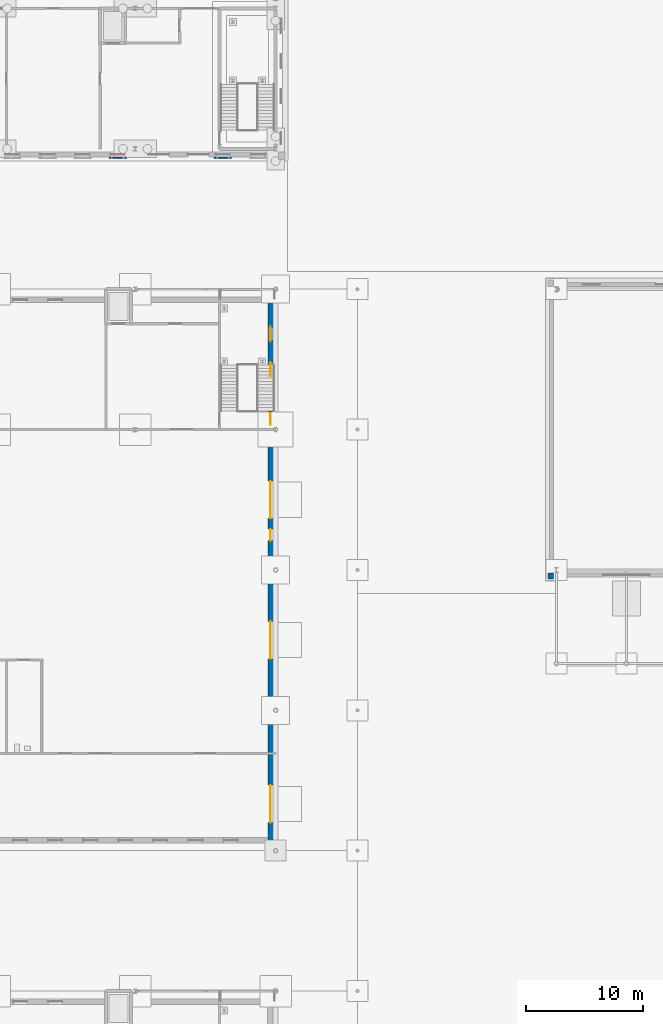
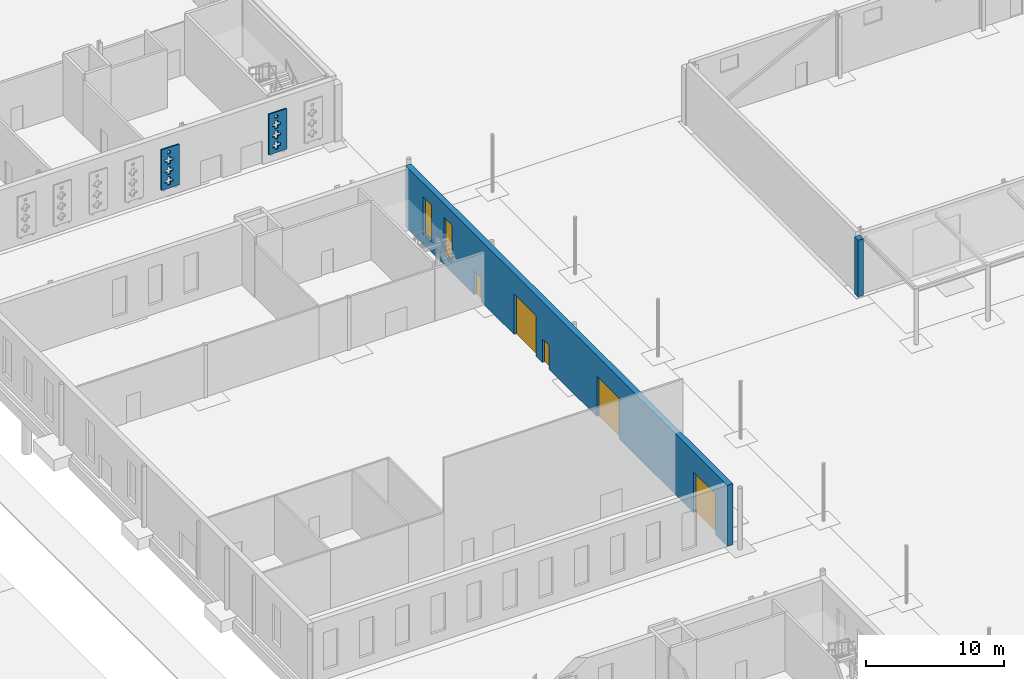
# One storey, part 81 of 132: 5 doors, 4 walls, 2 windows, 39 openings.
"""IFC4 building model written with IfcOpenShell, lengths in metres."""

from ifc_helpers import new_model, si_unit, direction, frame, frame_2d, origin, place, context, subcontext, project, spatial, rectangle, extrude, material, layer, layer_set, type_object, element, fill, save


model = new_model("IFC4")

# Units and contexts
model_context = context("Model", 3, precision=1e-05, world=origin(), true_north=direction((0.0, 1.0)))
body_context = subcontext(model_context, "Body", "Model", "MODEL_VIEW")
ifc_project = project(units=[si_unit("LENGTHUNIT", "METRE"), si_unit("AREAUNIT", "SQUARE_METRE"), si_unit("VOLUMEUNIT", "CUBIC_METRE"), si_unit("PLANEANGLEUNIT", "RADIAN"), si_unit("MASSUNIT", "GRAM", prefix="KILO")], contexts=[model_context])

# Site, building, storey
site_placement = place(None, origin())
site = spatial("IfcSite", under=ifc_project, at=site_placement, CompositionType="ELEMENT")
building_placement = place(site_placement, origin())
building = spatial("IfcBuilding", under=site, at=building_placement, Name="Ravi Spectrum Wholesale Market", CompositionType="ELEMENT")
storey_placement = place(building_placement, origin())
storey = spatial("IfcBuildingStorey", under=building, at=storey_placement, Name="L00", CompositionType="ELEMENT", Elevation=0.0)

# Wall, openings, doors, windows
ifc_material_1 = material(Name="Clinker brickwork", Category="masonry")
ifc_layer_1 = layer(ifc_material_1, 0.4599609375)
ifc_layer_set_1 = layer_set([ifc_layer_1], Name="Clinker brickwork")
wall_type_1 = type_object("IfcWallType", Name="Brick 460 pier wall", PredefinedType="SOLIDWALL", material=ifc_layer_set_1)
wall_1_placement = place(storey_placement, frame((197.572265625, 138.669921875, 0.0), z_axis=(0.0, 0.0, 1.0), x_axis=(0.0, 1.0, 0.0)))
wall_1 = element("IfcWall", 1, at=wall_1_placement, inside=storey, type_object=wall_type_1, Name="Flower Hall east wall", PredefinedType="SOLIDWALL", context=body_context, shape_type="SweptSolid", body=[
    extrude(rectangle(XDim=46.66015625, YDim=0.4599609375, at=frame_2d((23.330078125, 0.0))), origin(), (0.0, 0.0, 1.0), 5.39990234375),
])
opening_1_placement = place(wall_1_placement, frame((1.72998046875, 0.0, 0.0)))
opening_1 = element("IfcOpeningElement", 2, at=opening_1_placement, cuts=wall_1, Name="Opening D355", PredefinedType="OPENING", context=body_context, shape_type="SweptSolid", body=[
    extrude(rectangle(XDim=3.199951171875, YDim=3.60009765625, at=frame_2d((1.60009765625, 1.800048828125))), frame((0.0, 0.239990234375, 0.0), z_axis=(0.0, -1.0, 0.0), x_axis=(1.0, 0.0, 0.0)), (0.0, 0.0, 1.0), 0.47998046875),
])
opening_2_placement = place(wall_1_placement, frame((36.72998046875, 0.0, 0.0), z_axis=(0.0, 0.0, 1.0), x_axis=(-1.0, 0.0, 0.0)))
opening_2 = element("IfcOpeningElement", 3, at=opening_2_placement, cuts=wall_1, Name="Opening D361", PredefinedType="OPENING", context=body_context, shape_type="SweptSolid", body=[
    extrude(rectangle(XDim=1.0, YDim=2.10009765625, at=frame_2d((0.5, 1.050048828125))), frame((0.0, 0.239990234375, 0.0), z_axis=(0.0, -1.0, 0.0), x_axis=(1.0, 0.0, 0.0)), (0.0, 0.0, 1.0), 0.47998046875),
])
opening_3_placement = place(wall_1_placement, frame((15.72998046875, 0.0, 0.0)))
opening_3 = element("IfcOpeningElement", 4, at=opening_3_placement, cuts=wall_1, Name="Opening D362", PredefinedType="OPENING", context=body_context, shape_type="SweptSolid", body=[
    extrude(rectangle(XDim=3.199951171875, YDim=3.60009765625, at=frame_2d((1.60009765625, 1.800048828125))), frame((0.0, 0.239990234375, 0.0), z_axis=(0.0, -1.0, 0.0), x_axis=(1.0, 0.0, 0.0)), (0.0, 0.0, 1.0), 0.47998046875),
])
opening_4_placement = place(wall_1_placement, frame((27.72998046875, 0.0, 0.0)))
opening_4 = element("IfcOpeningElement", 5, at=opening_4_placement, cuts=wall_1, Name="Opening D363", PredefinedType="OPENING", context=body_context, shape_type="SweptSolid", body=[
    extrude(rectangle(XDim=3.199951171875, YDim=3.60009765625, at=frame_2d((1.60009765625, 1.800048828125))), frame((0.0, 0.239990234375, 0.0), z_axis=(0.0, -1.0, 0.0), x_axis=(1.0, 0.0, 0.0)), (0.0, 0.0, 1.0), 0.47998046875),
])
opening_5_placement = place(wall_1_placement, frame((26.830078125, 0.0, 0.0), z_axis=(0.0, 0.0, 1.0), x_axis=(-1.0, 0.0, 0.0)))
opening_5 = element("IfcOpeningElement", 6, at=opening_5_placement, cuts=wall_1, Name="Opening D364", PredefinedType="OPENING", context=body_context, shape_type="SweptSolid", body=[
    extrude(rectangle(XDim=1.0, YDim=2.10009765625, at=frame_2d((0.5, 1.050048828125))), frame((0.0, 0.239990234375, 0.0), z_axis=(0.0, -1.0, 0.0), x_axis=(1.0, 0.0, 0.0)), (0.0, 0.0, 1.0), 0.47998046875),
])
opening_6_placement = place(wall_1_placement, frame((39.89990234375, 0.0, 0.89990234375)))
opening_6 = element("IfcOpeningElement", 7, at=opening_6_placement, cuts=wall_1, Name="Opening W2213", PredefinedType="OPENING", context=body_context, shape_type="SweptSolid", body=[
    extrude(rectangle(XDim=1.199951171875, YDim=3.300048828125, at=frame_2d((0.60009765625, 1.64990234375))), frame((0.0, 0.239990234375, 0.0), z_axis=(0.0, -1.0, 0.0), x_axis=(1.0, 0.0, 0.0)), (0.0, 0.0, 1.0), 0.47998046875),
])
opening_7_placement = place(wall_1_placement, frame((42.89990234375, 0.0, 0.89990234375)))
opening_7 = element("IfcOpeningElement", 8, at=opening_7_placement, cuts=wall_1, Name="Opening W2214", PredefinedType="OPENING", context=body_context, shape_type="SweptSolid", body=[
    extrude(rectangle(XDim=1.199951171875, YDim=3.300048828125, at=frame_2d((0.60009765625, 1.64990234375))), frame((0.0, 0.239990234375, 0.0), z_axis=(0.0, -1.0, 0.0), x_axis=(1.0, 0.0, 0.0)), (0.0, 0.0, 1.0), 0.47998046875),
])
ifc_material_2 = material(Name="Steel roller shutter", Category="steel")
door_type_1 = type_object("IfcDoorType", Name="Dock roller shutter 3200 x 3600", OperationType="ROLLINGUP", PredefinedType="DOOR", material=ifc_material_2)
door_1_placement = place(opening_1_placement, origin())
door_1 = element("IfcDoor", 9, at=door_1_placement, inside=storey, type_object=door_type_1, Name="Door D355", OperationType="ROLLINGUP", OverallHeight=3.60009765625, OverallWidth=3.199951171875, PredefinedType="DOOR", context=body_context, shape_type="SweptSolid", body=[
    extrude(rectangle(XDim=3.199951171875, YDim=3.60009765625, at=frame_2d((1.60009765625, 1.800048828125))), frame((0.0, 0.02490234375, 0.0), z_axis=(0.0, -1.0, 0.0), x_axis=(1.0, 0.0, 0.0)), (0.0, 0.0, 1.0), 0.050048828125),
])
fill(opening_1, door_1)
door_2_placement = place(opening_3_placement, origin())
door_2 = element("IfcDoor", 10, at=door_2_placement, inside=storey, type_object=door_type_1, Name="Door D362", OperationType="ROLLINGUP", OverallHeight=3.60009765625, OverallWidth=3.199951171875, PredefinedType="DOOR", context=body_context, shape_type="SweptSolid", body=[
    extrude(rectangle(XDim=3.199951171875, YDim=3.60009765625, at=frame_2d((1.60009765625, 1.800048828125))), frame((0.0, 0.02490234375, 0.0), z_axis=(0.0, -1.0, 0.0), x_axis=(1.0, 0.0, 0.0)), (0.0, 0.0, 1.0), 0.050048828125),
])
fill(opening_3, door_2)
door_3_placement = place(opening_4_placement, origin())
door_3 = element("IfcDoor", 11, at=door_3_placement, inside=storey, type_object=door_type_1, Name="Door D363", OperationType="ROLLINGUP", OverallHeight=3.60009765625, OverallWidth=3.199951171875, PredefinedType="DOOR", context=body_context, shape_type="SweptSolid", body=[
    extrude(rectangle(XDim=3.199951171875, YDim=3.60009765625, at=frame_2d((1.60009765625, 1.800048828125))), frame((0.0, 0.02490234375, 0.0), z_axis=(0.0, -1.0, 0.0), x_axis=(1.0, 0.0, 0.0)), (0.0, 0.0, 1.0), 0.050048828125),
])
fill(opening_4, door_3)
ifc_material_3 = material(Name="Steel door", Category="steel")
door_type_2 = type_object("IfcDoorType", Name="Pedestrian exit door 1000 x 2100", OperationType="SINGLE_SWING_LEFT", PredefinedType="DOOR", material=ifc_material_3)
door_4_placement = place(opening_2_placement, origin())
door_4 = element("IfcDoor", 12, at=door_4_placement, inside=storey, type_object=door_type_2, Name="Door D361", OperationType="SINGLE_SWING_RIGHT", OverallHeight=2.10009765625, OverallWidth=1.0, PredefinedType="DOOR", context=body_context, shape_type="SweptSolid", body=[
    extrude(rectangle(XDim=1.0, YDim=2.10009765625, at=frame_2d((0.5, 1.050048828125))), frame((0.0, 0.02490234375, 0.0), z_axis=(0.0, -1.0, 0.0), x_axis=(1.0, 0.0, 0.0)), (0.0, 0.0, 1.0), 0.050048828125),
])
fill(opening_2, door_4)
door_5_placement = place(opening_5_placement, origin())
door_5 = element("IfcDoor", 13, at=door_5_placement, inside=storey, type_object=door_type_2, Name="Door D364", OperationType="SINGLE_SWING_LEFT", OverallHeight=2.10009765625, OverallWidth=1.0, PredefinedType="DOOR", context=body_context, shape_type="SweptSolid", body=[
    extrude(rectangle(XDim=1.0, YDim=2.10009765625, at=frame_2d((0.5, 1.050048828125))), frame((0.0, 0.02490234375, 0.0), z_axis=(0.0, -1.0, 0.0), x_axis=(1.0, 0.0, 0.0)), (0.0, 0.0, 1.0), 0.050048828125),
])
fill(opening_5, door_5)
ifc_material_4 = material(Name="Steel window frame", Category="steel")
window_type = type_object("IfcWindowType", Name="Tall pier window 1200 x 3300", PartitioningType="SINGLE_PANEL", PredefinedType="WINDOW", material=ifc_material_4)
window_1_placement = place(opening_6_placement, origin())
window_1 = element("IfcWindow", 14, at=window_1_placement, inside=storey, type_object=window_type, Name="Window W2213", OverallHeight=3.300048828125, OverallWidth=1.199951171875, PartitioningType="SINGLE_PANEL", PredefinedType="WINDOW", context=body_context, shape_type="SweptSolid", body=[
    extrude(rectangle(XDim=1.199951171875, YDim=3.300048828125, at=frame_2d((0.60009765625, 1.64990234375))), frame((0.0, 0.030029296875, 0.0), z_axis=(0.0, -1.0, 0.0), x_axis=(1.0, 0.0, 0.0)), (0.0, 0.0, 1.0), 0.06005859375),
])
fill(opening_6, window_1)
window_2_placement = place(opening_7_placement, origin())
window_2 = element("IfcWindow", 15, at=window_2_placement, inside=storey, type_object=window_type, Name="Window W2214", OverallHeight=3.300048828125, OverallWidth=1.199951171875, PartitioningType="SINGLE_PANEL", PredefinedType="WINDOW", context=body_context, shape_type="SweptSolid", body=[
    extrude(rectangle(XDim=1.199951171875, YDim=3.300048828125, at=frame_2d((0.60009765625, 1.64990234375))), frame((0.0, 0.030029296875, 0.0), z_axis=(0.0, -1.0, 0.0), x_axis=(1.0, 0.0, 0.0)), (0.0, 0.0, 1.0), 0.06005859375),
])
fill(opening_7, window_2)

# Wall
ifc_material_5 = material(Name="Clinker brickwork", Category="masonry")
ifc_layer_2 = layer(ifc_material_5, 0.52490234375)
ifc_layer_set_2 = layer_set([ifc_layer_2], Name="Clinker brickwork")
wall_type_2 = type_object("IfcWallType", Name="Brick pier 525", PredefinedType="SOLIDWALL", material=ifc_layer_set_2)
wall_2_placement = place(storey_placement, frame((221.75, 161.487548828125, 0.0), z_axis=(0.0, 0.0, 1.0), x_axis=(-1.0, 0.0, 0.0)))
element("IfcWall", 16, at=wall_2_placement, inside=storey, type_object=wall_type_2, Name="GS-WL-L00-005", PredefinedType="SOLIDWALL", context=body_context, shape_type="SweptSolid", body=[
    extrude(rectangle(XDim=0.455078125, YDim=0.52490234375, at=frame_2d((0.2275390625, 0.0))), origin(), (0.0, 0.0, 1.0), 5.010009765625),
])

# Wall, openings
ifc_material_6 = material(Name="Facing brickwork", Category="masonry")
ifc_layer_3 = layer(ifc_material_6, 0.114990234375)
ifc_layer_set_3 = layer_set([ifc_layer_3], Name="Facing brickwork")
wall_type_3 = type_object("IfcWallType", Name="Perforated brick screen 115", PredefinedType="SOLIDWALL", material=ifc_layer_set_3)
wall_3_placement = place(storey_placement, frame((183.75, 197.232421875, 0.75), z_axis=(0.0, 0.0, 1.0), x_axis=(1.0, 0.0, 0.0)))
wall_3 = element("IfcWall", 17, at=wall_3_placement, inside=storey, type_object=wall_type_3, Name="AU-WL-L00-017", PredefinedType="SOLIDWALL", context=body_context, shape_type="SweptSolid", body=[
    extrude(rectangle(XDim=1.5, YDim=0.114990234375, at=frame_2d((0.75, 0.0))), origin(), (0.0, 0.0, 1.0), 3.60009765625),
])
opening_8_placement = place(wall_3_placement, frame((0.52001953125, 0.0, 0.304931640625)))
element("IfcOpeningElement", 18, at=opening_8_placement, cuts=wall_3, Name="Opening AU-OP-L00-113", PredefinedType="OPENING", context=body_context, shape_type="SweptSolid", body=[
    extrude(rectangle(XDim=0.22998046875, YDim=0.22998046875, at=frame_2d((0.114990234375, 0.114990234375))), frame((0.0, 0.0673828125, 0.0), z_axis=(0.0, -1.0, 0.0), x_axis=(1.0, 0.0, 0.0)), (0.0, 0.0, 1.0), 0.135009765625),
])
opening_9_placement = place(wall_3_placement, frame((0.2900390625, 0.0, 0.534912109375)))
element("IfcOpeningElement", 19, at=opening_9_placement, cuts=wall_3, Name="Opening AU-OP-L00-114", PredefinedType="OPENING", context=body_context, shape_type="SweptSolid", body=[
    extrude(rectangle(XDim=0.22998046875, YDim=0.22998046875, at=frame_2d((0.114990234375, 0.114990234375))), frame((0.0, 0.0673828125, 0.0), z_axis=(0.0, -1.0, 0.0), x_axis=(1.0, 0.0, 0.0)), (0.0, 0.0, 1.0), 0.135009765625),
])
opening_10_placement = place(wall_3_placement, frame((0.52001953125, 0.0, 0.534912109375)))
element("IfcOpeningElement", 20, at=opening_10_placement, cuts=wall_3, Name="Opening AU-OP-L00-115", PredefinedType="OPENING", context=body_context, shape_type="SweptSolid", body=[
    extrude(rectangle(XDim=0.22998046875, YDim=0.22998046875, at=frame_2d((0.114990234375, 0.114990234375))), frame((0.0, 0.0673828125, 0.0), z_axis=(0.0, -1.0, 0.0), x_axis=(1.0, 0.0, 0.0)), (0.0, 0.0, 1.0), 0.135009765625),
])
opening_11_placement = place(wall_3_placement, frame((0.75, 0.0, 0.534912109375)))
element("IfcOpeningElement", 21, at=opening_11_placement, cuts=wall_3, Name="Opening AU-OP-L00-116", PredefinedType="OPENING", context=body_context, shape_type="SweptSolid", body=[
    extrude(rectangle(XDim=0.22998046875, YDim=0.22998046875, at=frame_2d((0.114990234375, 0.114990234375))), frame((0.0, 0.0673828125, 0.0), z_axis=(0.0, -1.0, 0.0), x_axis=(1.0, 0.0, 0.0)), (0.0, 0.0, 1.0), 0.135009765625),
])
opening_12_placement = place(wall_3_placement, frame((0.52001953125, 0.0, 0.764892578125)))
element("IfcOpeningElement", 22, at=opening_12_placement, cuts=wall_3, Name="Opening AU-OP-L00-117", PredefinedType="OPENING", context=body_context, shape_type="SweptSolid", body=[
    extrude(rectangle(XDim=0.22998046875, YDim=0.22998046875, at=frame_2d((0.114990234375, 0.114990234375))), frame((0.0, 0.0673828125, 0.0), z_axis=(0.0, -1.0, 0.0), x_axis=(1.0, 0.0, 0.0)), (0.0, 0.0, 1.0), 0.135009765625),
])
opening_13_placement = place(wall_3_placement, frame((0.52001953125, 0.0, 1.22509765625)))
element("IfcOpeningElement", 23, at=opening_13_placement, cuts=wall_3, Name="Opening AU-OP-L00-118", PredefinedType="OPENING", context=body_context, shape_type="SweptSolid", body=[
    extrude(rectangle(XDim=0.22998046875, YDim=0.22998046875, at=frame_2d((0.114990234375, 0.114990234375))), frame((0.0, 0.0673828125, 0.0), z_axis=(0.0, -1.0, 0.0), x_axis=(1.0, 0.0, 0.0)), (0.0, 0.0, 1.0), 0.135009765625),
])
opening_14_placement = place(wall_3_placement, frame((0.2900390625, 0.0, 1.455078125)))
element("IfcOpeningElement", 24, at=opening_14_placement, cuts=wall_3, Name="Opening AU-OP-L00-119", PredefinedType="OPENING", context=body_context, shape_type="SweptSolid", body=[
    extrude(rectangle(XDim=0.22998046875, YDim=0.22998046875, at=frame_2d((0.114990234375, 0.114990234375))), frame((0.0, 0.0673828125, 0.0), z_axis=(0.0, -1.0, 0.0), x_axis=(1.0, 0.0, 0.0)), (0.0, 0.0, 1.0), 0.135009765625),
])
opening_15_placement = place(wall_3_placement, frame((0.52001953125, 0.0, 1.455078125)))
element("IfcOpeningElement", 25, at=opening_15_placement, cuts=wall_3, Name="Opening AU-OP-L00-120", PredefinedType="OPENING", context=body_context, shape_type="SweptSolid", body=[
    extrude(rectangle(XDim=0.22998046875, YDim=0.22998046875, at=frame_2d((0.114990234375, 0.114990234375))), frame((0.0, 0.0673828125, 0.0), z_axis=(0.0, -1.0, 0.0), x_axis=(1.0, 0.0, 0.0)), (0.0, 0.0, 1.0), 0.135009765625),
])
opening_16_placement = place(wall_3_placement, frame((0.75, 0.0, 1.455078125)))
element("IfcOpeningElement", 26, at=opening_16_placement, cuts=wall_3, Name="Opening AU-OP-L00-121", PredefinedType="OPENING", context=body_context, shape_type="SweptSolid", body=[
    extrude(rectangle(XDim=0.22998046875, YDim=0.22998046875, at=frame_2d((0.114990234375, 0.114990234375))), frame((0.0, 0.0673828125, 0.0), z_axis=(0.0, -1.0, 0.0), x_axis=(1.0, 0.0, 0.0)), (0.0, 0.0, 1.0), 0.135009765625),
])
opening_17_placement = place(wall_3_placement, frame((0.52001953125, 0.0, 1.68505859375)))
element("IfcOpeningElement", 27, at=opening_17_placement, cuts=wall_3, Name="Opening AU-OP-L00-122", PredefinedType="OPENING", context=body_context, shape_type="SweptSolid", body=[
    extrude(rectangle(XDim=0.22998046875, YDim=0.22998046875, at=frame_2d((0.114990234375, 0.114990234375))), frame((0.0, 0.0673828125, 0.0), z_axis=(0.0, -1.0, 0.0), x_axis=(1.0, 0.0, 0.0)), (0.0, 0.0, 1.0), 0.135009765625),
])
opening_18_placement = place(wall_3_placement, frame((0.52001953125, 0.0, 2.14501953125)))
element("IfcOpeningElement", 28, at=opening_18_placement, cuts=wall_3, Name="Opening AU-OP-L00-123", PredefinedType="OPENING", context=body_context, shape_type="SweptSolid", body=[
    extrude(rectangle(XDim=0.22998046875, YDim=0.22998046875, at=frame_2d((0.114990234375, 0.114990234375))), frame((0.0, 0.0673828125, 0.0), z_axis=(0.0, -1.0, 0.0), x_axis=(1.0, 0.0, 0.0)), (0.0, 0.0, 1.0), 0.135009765625),
])
opening_19_placement = place(wall_3_placement, frame((0.2900390625, 0.0, 2.375)))
element("IfcOpeningElement", 29, at=opening_19_placement, cuts=wall_3, Name="Opening AU-OP-L00-124", PredefinedType="OPENING", context=body_context, shape_type="SweptSolid", body=[
    extrude(rectangle(XDim=0.22998046875, YDim=0.22998046875, at=frame_2d((0.114990234375, 0.114990234375))), frame((0.0, 0.0673828125, 0.0), z_axis=(0.0, -1.0, 0.0), x_axis=(1.0, 0.0, 0.0)), (0.0, 0.0, 1.0), 0.135009765625),
])
opening_20_placement = place(wall_3_placement, frame((0.52001953125, 0.0, 2.375)))
element("IfcOpeningElement", 30, at=opening_20_placement, cuts=wall_3, Name="Opening AU-OP-L00-125", PredefinedType="OPENING", context=body_context, shape_type="SweptSolid", body=[
    extrude(rectangle(XDim=0.22998046875, YDim=0.22998046875, at=frame_2d((0.114990234375, 0.114990234375))), frame((0.0, 0.0673828125, 0.0), z_axis=(0.0, -1.0, 0.0), x_axis=(1.0, 0.0, 0.0)), (0.0, 0.0, 1.0), 0.135009765625),
])
opening_21_placement = place(wall_3_placement, frame((0.75, 0.0, 2.375)))
element("IfcOpeningElement", 31, at=opening_21_placement, cuts=wall_3, Name="Opening AU-OP-L00-126", PredefinedType="OPENING", context=body_context, shape_type="SweptSolid", body=[
    extrude(rectangle(XDim=0.22998046875, YDim=0.22998046875, at=frame_2d((0.114990234375, 0.114990234375))), frame((0.0, 0.0673828125, 0.0), z_axis=(0.0, -1.0, 0.0), x_axis=(1.0, 0.0, 0.0)), (0.0, 0.0, 1.0), 0.135009765625),
])
opening_22_placement = place(wall_3_placement, frame((0.52001953125, 0.0, 2.60498046875)))
element("IfcOpeningElement", 32, at=opening_22_placement, cuts=wall_3, Name="Opening AU-OP-L00-127", PredefinedType="OPENING", context=body_context, shape_type="SweptSolid", body=[
    extrude(rectangle(XDim=0.22998046875, YDim=0.22998046875, at=frame_2d((0.114990234375, 0.114990234375))), frame((0.0, 0.0673828125, 0.0), z_axis=(0.0, -1.0, 0.0), x_axis=(1.0, 0.0, 0.0)), (0.0, 0.0, 1.0), 0.135009765625),
])
opening_23_placement = place(wall_3_placement, frame((0.52001953125, 0.0, 3.06494140625)))
element("IfcOpeningElement", 33, at=opening_23_placement, cuts=wall_3, Name="Opening AU-OP-L00-128", PredefinedType="OPENING", context=body_context, shape_type="SweptSolid", body=[
    extrude(rectangle(XDim=0.22998046875, YDim=0.22998046875, at=frame_2d((0.114990234375, 0.114990234375))), frame((0.0, 0.0673828125, 0.0), z_axis=(0.0, -1.0, 0.0), x_axis=(1.0, 0.0, 0.0)), (0.0, 0.0, 1.0), 0.135009765625),
])

wall_4_placement = place(storey_placement, frame((192.75, 197.232421875, 0.75), z_axis=(0.0, 0.0, 1.0), x_axis=(1.0, 0.0, 0.0)))
wall_4 = element("IfcWall", 34, at=wall_4_placement, inside=storey, type_object=wall_type_3, Name="AU-WL-L00-018", PredefinedType="SOLIDWALL", context=body_context, shape_type="SweptSolid", body=[
    extrude(rectangle(XDim=1.5, YDim=0.114990234375, at=frame_2d((0.75, 0.0))), origin(), (0.0, 0.0, 1.0), 3.60009765625),
])
opening_24_placement = place(wall_4_placement, frame((0.52001953125, 0.0, 0.304931640625)))
element("IfcOpeningElement", 35, at=opening_24_placement, cuts=wall_4, Name="Opening AU-OP-L00-129", PredefinedType="OPENING", context=body_context, shape_type="SweptSolid", body=[
    extrude(rectangle(XDim=0.22998046875, YDim=0.22998046875, at=frame_2d((0.114990234375, 0.114990234375))), frame((0.0, 0.0673828125, 0.0), z_axis=(0.0, -1.0, 0.0), x_axis=(1.0, 0.0, 0.0)), (0.0, 0.0, 1.0), 0.135009765625),
])
opening_25_placement = place(wall_4_placement, frame((0.2900390625, 0.0, 0.534912109375)))
element("IfcOpeningElement", 36, at=opening_25_placement, cuts=wall_4, Name="Opening AU-OP-L00-130", PredefinedType="OPENING", context=body_context, shape_type="SweptSolid", body=[
    extrude(rectangle(XDim=0.22998046875, YDim=0.22998046875, at=frame_2d((0.114990234375, 0.114990234375))), frame((0.0, 0.0673828125, 0.0), z_axis=(0.0, -1.0, 0.0), x_axis=(1.0, 0.0, 0.0)), (0.0, 0.0, 1.0), 0.135009765625),
])
opening_26_placement = place(wall_4_placement, frame((0.52001953125, 0.0, 0.534912109375)))
element("IfcOpeningElement", 37, at=opening_26_placement, cuts=wall_4, Name="Opening AU-OP-L00-131", PredefinedType="OPENING", context=body_context, shape_type="SweptSolid", body=[
    extrude(rectangle(XDim=0.22998046875, YDim=0.22998046875, at=frame_2d((0.114990234375, 0.114990234375))), frame((0.0, 0.0673828125, 0.0), z_axis=(0.0, -1.0, 0.0), x_axis=(1.0, 0.0, 0.0)), (0.0, 0.0, 1.0), 0.135009765625),
])
opening_27_placement = place(wall_4_placement, frame((0.75, 0.0, 0.534912109375)))
element("IfcOpeningElement", 38, at=opening_27_placement, cuts=wall_4, Name="Opening AU-OP-L00-132", PredefinedType="OPENING", context=body_context, shape_type="SweptSolid", body=[
    extrude(rectangle(XDim=0.22998046875, YDim=0.22998046875, at=frame_2d((0.114990234375, 0.114990234375))), frame((0.0, 0.0673828125, 0.0), z_axis=(0.0, -1.0, 0.0), x_axis=(1.0, 0.0, 0.0)), (0.0, 0.0, 1.0), 0.135009765625),
])
opening_28_placement = place(wall_4_placement, frame((0.52001953125, 0.0, 0.764892578125)))
element("IfcOpeningElement", 39, at=opening_28_placement, cuts=wall_4, Name="Opening AU-OP-L00-133", PredefinedType="OPENING", context=body_context, shape_type="SweptSolid", body=[
    extrude(rectangle(XDim=0.22998046875, YDim=0.22998046875, at=frame_2d((0.114990234375, 0.114990234375))), frame((0.0, 0.0673828125, 0.0), z_axis=(0.0, -1.0, 0.0), x_axis=(1.0, 0.0, 0.0)), (0.0, 0.0, 1.0), 0.135009765625),
])
opening_29_placement = place(wall_4_placement, frame((0.52001953125, 0.0, 1.22509765625)))
element("IfcOpeningElement", 40, at=opening_29_placement, cuts=wall_4, Name="Opening AU-OP-L00-134", PredefinedType="OPENING", context=body_context, shape_type="SweptSolid", body=[
    extrude(rectangle(XDim=0.22998046875, YDim=0.22998046875, at=frame_2d((0.114990234375, 0.114990234375))), frame((0.0, 0.0673828125, 0.0), z_axis=(0.0, -1.0, 0.0), x_axis=(1.0, 0.0, 0.0)), (0.0, 0.0, 1.0), 0.135009765625),
])
opening_30_placement = place(wall_4_placement, frame((0.2900390625, 0.0, 1.455078125)))
element("IfcOpeningElement", 41, at=opening_30_placement, cuts=wall_4, Name="Opening AU-OP-L00-135", PredefinedType="OPENING", context=body_context, shape_type="SweptSolid", body=[
    extrude(rectangle(XDim=0.22998046875, YDim=0.22998046875, at=frame_2d((0.114990234375, 0.114990234375))), frame((0.0, 0.0673828125, 0.0), z_axis=(0.0, -1.0, 0.0), x_axis=(1.0, 0.0, 0.0)), (0.0, 0.0, 1.0), 0.135009765625),
])
opening_31_placement = place(wall_4_placement, frame((0.52001953125, 0.0, 1.455078125)))
element("IfcOpeningElement", 42, at=opening_31_placement, cuts=wall_4, Name="Opening AU-OP-L00-136", PredefinedType="OPENING", context=body_context, shape_type="SweptSolid", body=[
    extrude(rectangle(XDim=0.22998046875, YDim=0.22998046875, at=frame_2d((0.114990234375, 0.114990234375))), frame((0.0, 0.0673828125, 0.0), z_axis=(0.0, -1.0, 0.0), x_axis=(1.0, 0.0, 0.0)), (0.0, 0.0, 1.0), 0.135009765625),
])
opening_32_placement = place(wall_4_placement, frame((0.75, 0.0, 1.455078125)))
element("IfcOpeningElement", 43, at=opening_32_placement, cuts=wall_4, Name="Opening AU-OP-L00-137", PredefinedType="OPENING", context=body_context, shape_type="SweptSolid", body=[
    extrude(rectangle(XDim=0.22998046875, YDim=0.22998046875, at=frame_2d((0.114990234375, 0.114990234375))), frame((0.0, 0.0673828125, 0.0), z_axis=(0.0, -1.0, 0.0), x_axis=(1.0, 0.0, 0.0)), (0.0, 0.0, 1.0), 0.135009765625),
])
opening_33_placement = place(wall_4_placement, frame((0.52001953125, 0.0, 1.68505859375)))
element("IfcOpeningElement", 44, at=opening_33_placement, cuts=wall_4, Name="Opening AU-OP-L00-138", PredefinedType="OPENING", context=body_context, shape_type="SweptSolid", body=[
    extrude(rectangle(XDim=0.22998046875, YDim=0.22998046875, at=frame_2d((0.114990234375, 0.114990234375))), frame((0.0, 0.0673828125, 0.0), z_axis=(0.0, -1.0, 0.0), x_axis=(1.0, 0.0, 0.0)), (0.0, 0.0, 1.0), 0.135009765625),
])
opening_34_placement = place(wall_4_placement, frame((0.52001953125, 0.0, 2.14501953125)))
element("IfcOpeningElement", 45, at=opening_34_placement, cuts=wall_4, Name="Opening AU-OP-L00-139", PredefinedType="OPENING", context=body_context, shape_type="SweptSolid", body=[
    extrude(rectangle(XDim=0.22998046875, YDim=0.22998046875, at=frame_2d((0.114990234375, 0.114990234375))), frame((0.0, 0.0673828125, 0.0), z_axis=(0.0, -1.0, 0.0), x_axis=(1.0, 0.0, 0.0)), (0.0, 0.0, 1.0), 0.135009765625),
])
opening_35_placement = place(wall_4_placement, frame((0.2900390625, 0.0, 2.375)))
element("IfcOpeningElement", 46, at=opening_35_placement, cuts=wall_4, Name="Opening AU-OP-L00-140", PredefinedType="OPENING", context=body_context, shape_type="SweptSolid", body=[
    extrude(rectangle(XDim=0.22998046875, YDim=0.22998046875, at=frame_2d((0.114990234375, 0.114990234375))), frame((0.0, 0.0673828125, 0.0), z_axis=(0.0, -1.0, 0.0), x_axis=(1.0, 0.0, 0.0)), (0.0, 0.0, 1.0), 0.135009765625),
])
opening_36_placement = place(wall_4_placement, frame((0.52001953125, 0.0, 2.375)))
element("IfcOpeningElement", 47, at=opening_36_placement, cuts=wall_4, Name="Opening AU-OP-L00-141", PredefinedType="OPENING", context=body_context, shape_type="SweptSolid", body=[
    extrude(rectangle(XDim=0.22998046875, YDim=0.22998046875, at=frame_2d((0.114990234375, 0.114990234375))), frame((0.0, 0.0673828125, 0.0), z_axis=(0.0, -1.0, 0.0), x_axis=(1.0, 0.0, 0.0)), (0.0, 0.0, 1.0), 0.135009765625),
])
opening_37_placement = place(wall_4_placement, frame((0.75, 0.0, 2.375)))
element("IfcOpeningElement", 48, at=opening_37_placement, cuts=wall_4, Name="Opening AU-OP-L00-142", PredefinedType="OPENING", context=body_context, shape_type="SweptSolid", body=[
    extrude(rectangle(XDim=0.22998046875, YDim=0.22998046875, at=frame_2d((0.114990234375, 0.114990234375))), frame((0.0, 0.0673828125, 0.0), z_axis=(0.0, -1.0, 0.0), x_axis=(1.0, 0.0, 0.0)), (0.0, 0.0, 1.0), 0.135009765625),
])
opening_38_placement = place(wall_4_placement, frame((0.52001953125, 0.0, 2.60498046875)))
element("IfcOpeningElement", 49, at=opening_38_placement, cuts=wall_4, Name="Opening AU-OP-L00-143", PredefinedType="OPENING", context=body_context, shape_type="SweptSolid", body=[
    extrude(rectangle(XDim=0.22998046875, YDim=0.22998046875, at=frame_2d((0.114990234375, 0.114990234375))), frame((0.0, 0.0673828125, 0.0), z_axis=(0.0, -1.0, 0.0), x_axis=(1.0, 0.0, 0.0)), (0.0, 0.0, 1.0), 0.135009765625),
])
opening_39_placement = place(wall_4_placement, frame((0.52001953125, 0.0, 3.06494140625)))
element("IfcOpeningElement", 50, at=opening_39_placement, cuts=wall_4, Name="Opening AU-OP-L00-144", PredefinedType="OPENING", context=body_context, shape_type="SweptSolid", body=[
    extrude(rectangle(XDim=0.22998046875, YDim=0.22998046875, at=frame_2d((0.114990234375, 0.114990234375))), frame((0.0, 0.0673828125, 0.0), z_axis=(0.0, -1.0, 0.0), x_axis=(1.0, 0.0, 0.0)), (0.0, 0.0, 1.0), 0.135009765625),
])

save(model, "model.ifc")
